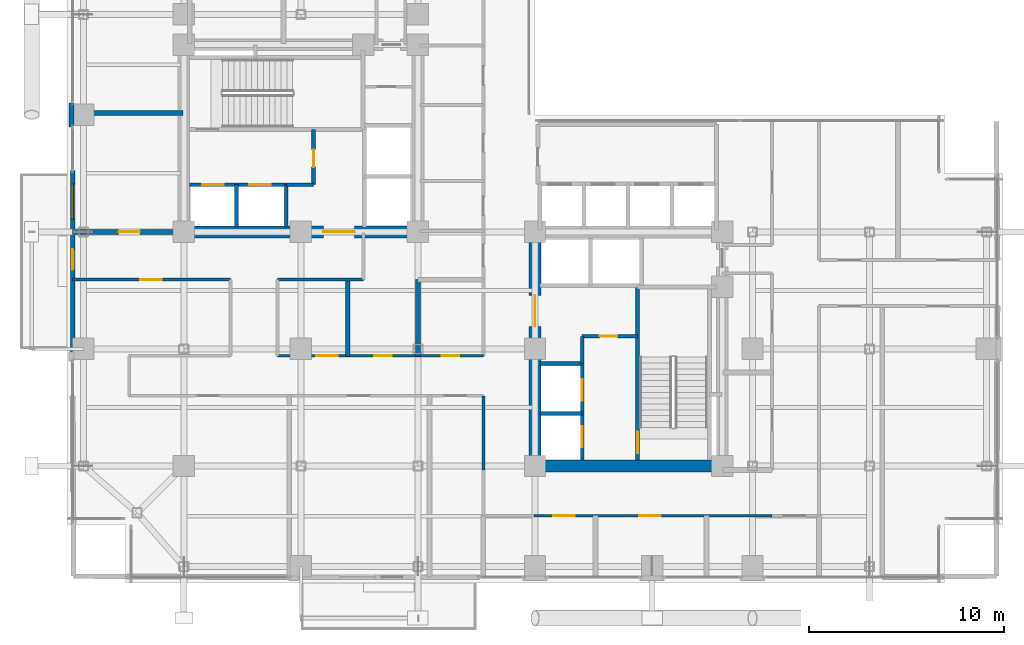
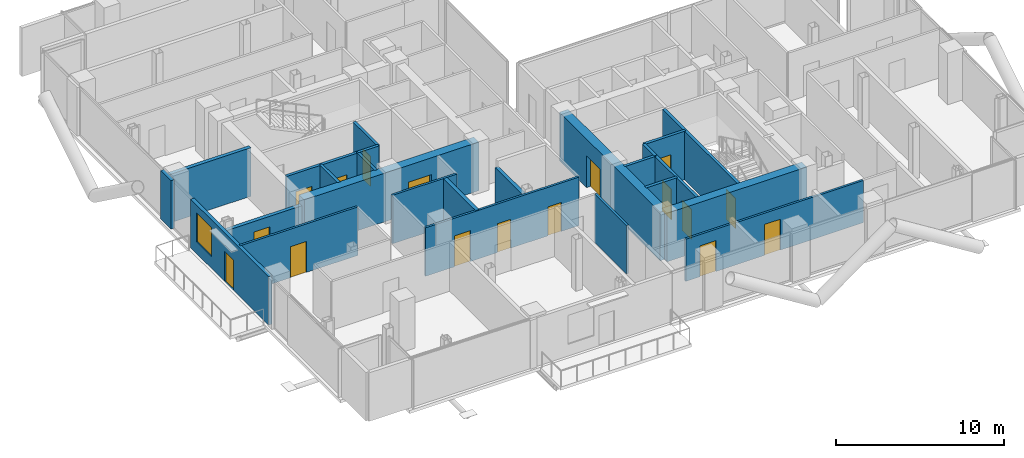
# One storey, part 19 of 24: 25 walls, 17 doors, 1 window, 18 openings.
"""IFC4 building model written with IfcOpenShell, lengths in metres."""

from ifc_helpers import new_model, si_unit, direction, frame, frame_2d, origin, place, context, subcontext, project, spatial, rectangle, extrude, material, layer, layer_set, type_object, element, fill, save


model = new_model("IFC4")

# Units and contexts
model_context = context("Model", 3, precision=1e-05, world=origin(), true_north=direction((0.0, 1.0)))
body_context = subcontext(model_context, "Body", "Model", "MODEL_VIEW")
ifc_project = project(units=[si_unit("LENGTHUNIT", "METRE"), si_unit("AREAUNIT", "SQUARE_METRE"), si_unit("VOLUMEUNIT", "CUBIC_METRE"), si_unit("PLANEANGLEUNIT", "RADIAN"), si_unit("MASSUNIT", "GRAM", prefix="KILO"), si_unit("THERMODYNAMICTEMPERATUREUNIT", "KELVIN"), si_unit("POWERUNIT", "WATT")], contexts=[model_context])

# Site, building, storey
site_placement = place(None, origin())
site = spatial("IfcSite", under=ifc_project, at=site_placement, CompositionType="ELEMENT")
building_placement = place(site_placement, origin())
building = spatial("IfcBuilding", under=site, at=building_placement, Name="Svarakhadi Broadcast Tower", CompositionType="ELEMENT")
storey_placement = place(building_placement, frame((0.0, 0.0, 126.89990234375)))
storey = spatial("IfcBuildingStorey", under=building, at=storey_placement, Name="L30", CompositionType="ELEMENT", Elevation=126.89990234375)

# Walls
ifc_material_1 = material(Name="Double-Stud Acoustic Studio Partition STC-62", Category="gypsum")
ifc_layer_1 = layer(ifc_material_1, 0.25)
ifc_layer_set_1 = layer_set([ifc_layer_1], Name="Double-Stud Acoustic Studio Partition STC-62")
wall_type_1 = type_object("IfcWallType", Name="Wall_Acoust_250", PredefinedType="PARTITIONING", material=ifc_layer_set_1)
wall_1_placement = place(storey_placement, frame((14.39990234375, 11.64990234375, 0.0), z_axis=(0.0, 0.0, 1.0), x_axis=(0.0, 1.0, 0.0)))
element("IfcWall", 1, at=wall_1_placement, inside=storey, type_object=wall_type_1, Name="L30 Acoustic Huddle Booth Wall", PredefinedType="PARTITIONING", context=body_context, shape_type="SweptSolid", body=[
    extrude(rectangle(XDim=3.900146484375, YDim=0.25, at=frame_2d((1.9501953125, 0.0))), origin(), (0.0, 0.0, 1.0), 3.525146484375),
])
wall_2_placement = place(storey_placement, frame((18.0, 11.64990234375, 0.0), z_axis=(0.0, 0.0, 1.0), x_axis=(0.0, 1.0, 0.0)))
element("IfcWall", 2, at=wall_2_placement, inside=storey, type_object=wall_type_1, Name="L30 Tea Bar Pantry Wall", PredefinedType="PARTITIONING", context=body_context, shape_type="SweptSolid", body=[
    extrude(rectangle(XDim=3.900146484375, YDim=0.25, at=frame_2d((1.9501953125, 0.0))), origin(), (0.0, 0.0, 1.0), 3.01708984375),
])

# Wall, opening, door
wall_3_placement = place(storey_placement, frame((0.300048828125, 18.0, 0.0), z_axis=(0.0, 0.0, 1.0), x_axis=(1.0, 0.0, 0.0)))
wall_3 = element("IfcWall", 3, at=wall_3_placement, inside=storey, type_object=wall_type_1, Name="L30 Arabian Sea Executive Studio Wall", PredefinedType="PARTITIONING", context=body_context, shape_type="SweptSolid", body=[
    extrude(rectangle(XDim=5.64990234375, YDim=0.25, at=frame_2d((2.824951171875, 0.0))), origin(), (0.0, 0.0, 1.0), 3.01708984375),
])
opening_1_placement = place(wall_3_placement, frame((2.35009765625, 0.0, 0.0)))
opening_1 = element("IfcOpeningElement", 4, at=opening_1_placement, cuts=wall_3, Name="Opening D-11", PredefinedType="OPENING", context=body_context, shape_type="SweptSolid", body=[
    extrude(rectangle(XDim=1.10009765625, YDim=2.25, at=frame_2d((0.550048828125, 1.125))), frame((0.0, 0.135009765625, 0.0), z_axis=(0.0, -1.0, 0.0), x_axis=(1.0, 0.0, 0.0)), (0.0, 0.0, 1.0), 0.27001953125),
])
ifc_material_2 = material(Name="Solid-Core Teak Veneer Acoustic Timber Leaf", Category="wood")
door_type_1 = type_object("IfcDoorType", Name="Door_Acoust_D11", OperationType="SINGLE_SWING_RIGHT", PredefinedType="DOOR", material=ifc_material_2)
door_1_placement = place(opening_1_placement, origin())
door_1 = element("IfcDoor", 5, at=door_1_placement, inside=storey, type_object=door_type_1, Name="L30 Arabian Sea Executive Studio Door", OperationType="SINGLE_SWING_RIGHT", OverallHeight=2.25, OverallWidth=1.10009765625, PredefinedType="DOOR", context=body_context, shape_type="SweptSolid", body=[
    extrude(rectangle(XDim=1.10009765625, YDim=2.25, at=frame_2d((0.550048828125, 1.125))), frame((0.0, 0.02490234375, 0.0), z_axis=(0.0, -1.0, 0.0), x_axis=(1.0, 0.0, 0.0)), (0.0, 0.0, 1.0), 0.050048828125),
])
fill(opening_1, door_1)

# Wall
wall_4_placement = place(storey_placement, frame((0.300048828125, 24.10009765625, 0.0), z_axis=(0.0, 0.0, 1.0), x_axis=(1.0, 0.0, 0.0)))
element("IfcWall", 6, at=wall_4_placement, inside=storey, type_object=wall_type_1, Name="L30 Arabian Sea Executive Studio Wall", PredefinedType="PARTITIONING", context=body_context, shape_type="SweptSolid", body=[
    extrude(rectangle(XDim=5.64990234375, YDim=0.25, at=frame_2d((2.824951171875, 0.0))), origin(), (0.0, 0.0, 1.0), 3.525146484375),
])

# Wall, openings, door, window
ifc_material_3 = material(Name="Concrete C40/50 (IS 456 M50)", Category="concrete")
ifc_layer_2 = layer(ifc_material_3, 0.239990234375)
ifc_layer_set_2 = layer_set([ifc_layer_2], Name="Concrete C40/50 (IS 456 M50)")
wall_type_2 = type_object("IfcWallType", Name="Wall_Ext_240", PredefinedType="SOLIDWALL", material=ifc_layer_set_2)
wall_5_placement = place(storey_placement, frame((0.300048828125, 11.85498046875, 0.0), z_axis=(0.0, 0.0, 1.0), x_axis=(0.0, 1.0, 0.0)))
wall_5 = element("IfcWall", 7, at=wall_5_placement, inside=storey, type_object=wall_type_2, Name="L30 West Tree Balcony Spandrel Wall", PredefinedType="SOLIDWALL", context=body_context, shape_type="SweptSolid", body=[
    extrude(rectangle(XDim=9.2900390625, YDim=0.239990234375, at=frame_2d((4.64501953125, 0.0))), origin(), (0.0, 0.0, 1.0), 3.525146484375),
])
opening_2_placement = place(wall_5_placement, frame((4.199951171875, 0.0, 0.0)))
opening_2 = element("IfcOpeningElement", 8, at=opening_2_placement, cuts=wall_5, Name="Opening ED-05", PredefinedType="OPENING", context=body_context, shape_type="SweptSolid", body=[
    extrude(rectangle(XDim=1.050048828125, YDim=2.199951171875, at=frame_2d((0.52490234375, 1.10009765625))), frame((0.0, 0.1298828125, 0.0), z_axis=(0.0, -1.0, 0.0), x_axis=(1.0, 0.0, 0.0)), (0.0, 0.0, 1.0), 0.260009765625),
])
opening_3_placement = place(wall_5_placement, frame((6.800048828125, 0.0, 0.85009765625)))
opening_3 = element("IfcOpeningElement", 9, at=opening_3_placement, cuts=wall_5, Name="Opening WN-02", PredefinedType="OPENING", context=body_context, shape_type="SweptSolid", body=[
    extrude(rectangle(XDim=1.800048828125, YDim=2.10009765625, at=frame_2d((0.89990234375, 1.050048828125))), frame((0.0, 0.1298828125, 0.0), z_axis=(0.0, -1.0, 0.0), x_axis=(1.0, 0.0, 0.0)), (0.0, 0.0, 1.0), 0.260009765625),
])
ifc_material_4 = material(Name="Anodised Bronze Aluminium AA 6063-T6", Category="aluminium")
door_type_2 = type_object("IfcDoorType", Name="Door_Ext_ED05", OperationType="SINGLE_SWING_LEFT", PredefinedType="DOOR", material=ifc_material_4)
door_2_placement = place(opening_2_placement, origin())
door_2 = element("IfcDoor", 10, at=door_2_placement, inside=storey, type_object=door_type_2, Name="L30 West Tree Balcony Door", OperationType="SINGLE_SWING_LEFT", OverallHeight=2.199951171875, OverallWidth=1.050048828125, PredefinedType="DOOR", context=body_context, shape_type="SweptSolid", body=[
    extrude(rectangle(XDim=1.050048828125, YDim=2.199951171875, at=frame_2d((0.52490234375, 1.10009765625))), frame((0.0, 0.02490234375, 0.0), z_axis=(0.0, -1.0, 0.0), x_axis=(1.0, 0.0, 0.0)), (0.0, 0.0, 1.0), 0.050048828125),
])
fill(opening_2, door_2)
ifc_material_5 = material(Name="Double Low-E Laminated Acoustic Glass IGU 36 mm", Category="glass")
window_type = type_object("IfcWindowType", Name="Win_Fixed_WN02", PartitioningType="SINGLE_PANEL", PredefinedType="WINDOW", material=ifc_material_5)
window_placement = place(opening_3_placement, origin())
window = element("IfcWindow", 11, at=window_placement, inside=storey, type_object=window_type, Name="L30 West Tree Balcony Window", OverallHeight=2.10009765625, OverallWidth=1.800048828125, PartitioningType="SINGLE_PANEL", PredefinedType="WINDOW", context=body_context, shape_type="SweptSolid", body=[
    extrude(rectangle(XDim=1.800048828125, YDim=2.10009765625, at=frame_2d((0.89990234375, 1.050048828125))), frame((0.0, 0.030029296875, 0.0), z_axis=(0.0, -1.0, 0.0), x_axis=(1.0, 0.0, 0.0)), (0.0, 0.0, 1.0), 0.06005859375),
])
fill(opening_3, window)

# Wall
wall_6_placement = place(storey_placement, frame((0.239990234375, 23.385009765625, 0.0), z_axis=(0.0, 0.0, 1.0), x_axis=(0.0, 1.0, 0.0)))
element("IfcWall", 12, at=wall_6_placement, inside=storey, type_object=wall_type_2, Name="L30 Perimeter Bronze Spandrel Closure Wall 02", PredefinedType="SOLIDWALL", context=body_context, shape_type="SweptSolid", body=[
    extrude(rectangle(XDim=1.22998046875, YDim=0.239990234375, at=frame_2d((0.614990234375, 0.0))), origin(), (0.0, 0.0, 1.0), 3.525146484375),
])

# Wall, openings, doors
ifc_material_6 = material(Name="Autoclaved Aerated Concrete Blockwork 150 mm", Category="masonry")
ifc_layer_3 = layer(ifc_material_6, 0.14990234375)
ifc_layer_set_3 = layer_set([ifc_layer_3], Name="Autoclaved Aerated Concrete Blockwork 150 mm")
wall_type_3 = type_object("IfcWallType", Name="Wall_Part_150", PredefinedType="PARTITIONING", material=ifc_layer_set_3)
wall_7_placement = place(storey_placement, frame((36.14990234375, 3.449951171875, 0.0), z_axis=(0.0, 0.0, 1.0), x_axis=(-1.0, 0.0, 0.0)))
wall_7 = element("IfcWall", 13, at=wall_7_placement, inside=storey, type_object=wall_type_3, Name="L30 Zone 2/3 Corridor Wall", PredefinedType="PARTITIONING", context=body_context, shape_type="SweptSolid", body=[
    extrude(rectangle(XDim=12.199951171875, YDim=0.14990234375, at=frame_2d((6.10009765625, 0.0))), origin(), (0.0, 0.0, 1.0), 3.067138671875),
])
opening_4_placement = place(wall_7_placement, frame((10.125, 0.0, 0.0)))
opening_4 = element("IfcOpeningElement", 14, at=opening_4_placement, cuts=wall_7, Name="Opening D-11", PredefinedType="OPENING", context=body_context, shape_type="SweptSolid", body=[
    extrude(rectangle(XDim=1.10009765625, YDim=2.25, at=frame_2d((0.550048828125, 1.125))), frame((0.0, 0.0849609375, 0.0), z_axis=(0.0, -1.0, 0.0), x_axis=(1.0, 0.0, 0.0)), (0.0, 0.0, 1.0), 0.169921875),
])
opening_5_placement = place(wall_7_placement, frame((5.699951171875, 0.0, 0.0)))
opening_5 = element("IfcOpeningElement", 15, at=opening_5_placement, cuts=wall_7, Name="Opening D-10", PredefinedType="OPENING", context=body_context, shape_type="SweptSolid", body=[
    extrude(rectangle(XDim=1.10009765625, YDim=2.25, at=frame_2d((0.550048828125, 1.125))), frame((0.0, 0.0849609375, 0.0), z_axis=(0.0, -1.0, 0.0), x_axis=(1.0, 0.0, 0.0)), (0.0, 0.0, 1.0), 0.169921875),
])
door_type_3 = type_object("IfcDoorType", Name="Door_Acoust_D10", OperationType="SINGLE_SWING_LEFT", PredefinedType="DOOR", material=ifc_material_2)
door_3_placement = place(opening_5_placement, origin())
door_3 = element("IfcDoor", 16, at=door_3_placement, inside=storey, type_object=door_type_3, Name="L30 Client Preview Briefing Room Door", OperationType="SINGLE_SWING_LEFT", OverallHeight=2.25, OverallWidth=1.10009765625, PredefinedType="DOOR", context=body_context, shape_type="SweptSolid", body=[
    extrude(rectangle(XDim=1.10009765625, YDim=2.25, at=frame_2d((0.550048828125, 1.125))), frame((0.0, 0.02490234375, 0.0), z_axis=(0.0, -1.0, 0.0), x_axis=(1.0, 0.0, 0.0)), (0.0, 0.0, 1.0), 0.050048828125),
])
fill(opening_5, door_3)
door_4_placement = place(opening_4_placement, origin())
door_4 = element("IfcDoor", 17, at=door_4_placement, inside=storey, type_object=door_type_1, Name="L30 Harbour Front Production Office Door", OperationType="SINGLE_SWING_RIGHT", OverallHeight=2.25, OverallWidth=1.10009765625, PredefinedType="DOOR", context=body_context, shape_type="SweptSolid", body=[
    extrude(rectangle(XDim=1.10009765625, YDim=2.25, at=frame_2d((0.550048828125, 1.125))), frame((0.0, 0.02490234375, 0.0), z_axis=(0.0, -1.0, 0.0), x_axis=(1.0, 0.0, 0.0)), (0.0, 0.0, 1.0), 0.050048828125),
])
fill(opening_4, door_4)

# Wall
wall_8_placement = place(storey_placement, frame((21.35009765625, 5.800048828125, 0.0), z_axis=(0.0, 0.0, 1.0), x_axis=(0.0, 1.0, 0.0)))
element("IfcWall", 18, at=wall_8_placement, inside=storey, type_object=wall_type_3, Name="L30 Zone 2/3 Corridor Wall", PredefinedType="PARTITIONING", context=body_context, shape_type="SweptSolid", body=[
    extrude(rectangle(XDim=3.800048828125, YDim=0.14990234375, at=frame_2d((1.89990234375, 0.0))), origin(), (0.0, 0.0, 1.0), 3.525146484375),
])

# Wall, opening, door
wall_9_placement = place(storey_placement, frame((8.39990234375, 15.550048828125, 0.0), z_axis=(0.0, 0.0, 1.0), x_axis=(-1.0, 0.0, 0.0)))
wall_9 = element("IfcWall", 19, at=wall_9_placement, inside=storey, type_object=wall_type_3, Name="L30 Zone 2/3 Corridor Wall", PredefinedType="PARTITIONING", context=body_context, shape_type="SweptSolid", body=[
    extrude(rectangle(XDim=8.099853515625, YDim=0.14990234375, at=frame_2d((4.0498046875, 0.0))), origin(), (0.0, 0.0, 1.0), 3.525146484375),
])
opening_6_placement = place(wall_9_placement, frame((3.52490234375, 0.0, 0.0)))
opening_6 = element("IfcOpeningElement", 20, at=opening_6_placement, cuts=wall_9, Name="Opening D-10", PredefinedType="OPENING", context=body_context, shape_type="SweptSolid", body=[
    extrude(rectangle(XDim=1.10009765625, YDim=2.25, at=frame_2d((0.550048828125, 1.125))), frame((0.0, 0.0849609375, 0.0), z_axis=(0.0, -1.0, 0.0), x_axis=(1.0, 0.0, 0.0)), (0.0, 0.0, 1.0), 0.169921875),
])
door_5_placement = place(opening_6_placement, origin())
door_5 = element("IfcDoor", 21, at=door_5_placement, inside=storey, type_object=door_type_3, Name="L30 VIP Talent Green Lounge Door", OperationType="SINGLE_SWING_LEFT", OverallHeight=2.25, OverallWidth=1.10009765625, PredefinedType="DOOR", context=body_context, shape_type="SweptSolid", body=[
    extrude(rectangle(XDim=1.10009765625, YDim=2.25, at=frame_2d((0.550048828125, 1.125))), frame((0.0, 0.02490234375, 0.0), z_axis=(0.0, -1.0, 0.0), x_axis=(1.0, 0.0, 0.0)), (0.0, 0.0, 1.0), 0.050048828125),
])
fill(opening_6, door_5)

# Wall
wall_10_placement = place(storey_placement, frame((15.199951171875, 15.550048828125, 0.0), z_axis=(0.0, 0.0, 1.0), x_axis=(-1.0, 0.0, 0.0)))
element("IfcWall", 22, at=wall_10_placement, inside=storey, type_object=wall_type_3, Name="L30 Zone 2/3 Corridor Wall", PredefinedType="PARTITIONING", context=body_context, shape_type="SweptSolid", body=[
    extrude(rectangle(XDim=4.39990234375, YDim=0.14990234375, at=frame_2d((2.199951171875, 0.0))), origin(), (0.0, 0.0, 1.0), 3.525146484375),
])

# Wall, openings, doors
wall_11_placement = place(storey_placement, frame((10.800048828125, 11.64990234375, 0.0), z_axis=(0.0, 0.0, 1.0), x_axis=(1.0, 0.0, 0.0)))
wall_11 = element("IfcWall", 23, at=wall_11_placement, inside=storey, type_object=wall_type_3, Name="L30 Zone 2/3 Corridor Wall", PredefinedType="PARTITIONING", context=body_context, shape_type="SweptSolid", body=[
    extrude(rectangle(XDim=10.550048828125, YDim=0.14990234375, at=frame_2d((5.27490234375, 0.0))), origin(), (0.0, 0.0, 1.0), 3.525146484375),
])
opening_7_placement = place(wall_11_placement, frame((1.97998046875, 0.0, 0.0)))
opening_7 = element("IfcOpeningElement", 24, at=opening_7_placement, cuts=wall_11, Name="Opening D-11", PredefinedType="OPENING", context=body_context, shape_type="SweptSolid", body=[
    extrude(rectangle(XDim=1.10009765625, YDim=2.25, at=frame_2d((0.550048828125, 1.125))), frame((0.0, 0.0849609375, 0.0), z_axis=(0.0, -1.0, 0.0), x_axis=(1.0, 0.0, 0.0)), (0.0, 0.0, 1.0), 0.169921875),
])
opening_8_placement = place(wall_11_placement, frame((4.949951171875, 0.0, 0.0)))
opening_8 = element("IfcOpeningElement", 25, at=opening_8_placement, cuts=wall_11, Name="Opening D-12", PredefinedType="OPENING", context=body_context, shape_type="SweptSolid", body=[
    extrude(rectangle(XDim=0.89990234375, YDim=2.10009765625, at=frame_2d((0.449951171875, 1.050048828125))), frame((0.0, 0.0849609375, 0.0), z_axis=(0.0, -1.0, 0.0), x_axis=(1.0, 0.0, 0.0)), (0.0, 0.0, 1.0), 0.169921875),
])
opening_9_placement = place(wall_11_placement, frame((8.425048828125, 0.0, 0.0)))
opening_9 = element("IfcOpeningElement", 26, at=opening_9_placement, cuts=wall_11, Name="Opening D-13", PredefinedType="OPENING", context=body_context, shape_type="SweptSolid", body=[
    extrude(rectangle(XDim=0.89990234375, YDim=2.10009765625, at=frame_2d((0.449951171875, 1.050048828125))), frame((0.0, 0.0849609375, 0.0), z_axis=(0.0, -1.0, 0.0), x_axis=(1.0, 0.0, 0.0)), (0.0, 0.0, 1.0), 0.169921875),
])
door_6_placement = place(opening_7_placement, origin())
door_6 = element("IfcDoor", 27, at=door_6_placement, inside=storey, type_object=door_type_1, Name="L30 Acoustic Huddle Booth Door", OperationType="SINGLE_SWING_RIGHT", OverallHeight=2.25, OverallWidth=1.10009765625, PredefinedType="DOOR", context=body_context, shape_type="SweptSolid", body=[
    extrude(rectangle(XDim=1.10009765625, YDim=2.25, at=frame_2d((0.550048828125, 1.125))), frame((0.0, 0.02490234375, 0.0), z_axis=(0.0, -1.0, 0.0), x_axis=(1.0, 0.0, 0.0)), (0.0, 0.0, 1.0), 0.050048828125),
])
fill(opening_7, door_6)
door_type_4 = type_object("IfcDoorType", Name="Door_Closet_D13", OperationType="SINGLE_SWING_RIGHT", PredefinedType="DOOR", material=ifc_material_2)
door_7_placement = place(opening_9_placement, origin())
door_7 = element("IfcDoor", 28, at=door_7_placement, inside=storey, type_object=door_type_4, Name="L30 Accessible Floor Washroom WC Door", OperationType="SINGLE_SWING_RIGHT", OverallHeight=2.10009765625, OverallWidth=0.89990234375, PredefinedType="DOOR", context=body_context, shape_type="SweptSolid", body=[
    extrude(rectangle(XDim=0.89990234375, YDim=2.10009765625, at=frame_2d((0.449951171875, 1.050048828125))), frame((0.0, 0.02490234375, 0.0), z_axis=(0.0, -1.0, 0.0), x_axis=(1.0, 0.0, 0.0)), (0.0, 0.0, 1.0), 0.050048828125),
])
fill(opening_9, door_7)
door_type_5 = type_object("IfcDoorType", Name="Door_WC_D01", OperationType="SINGLE_SWING_LEFT", PredefinedType="DOOR", material=ifc_material_2)
door_8_placement = place(opening_8_placement, origin())
door_8 = element("IfcDoor", 29, at=door_8_placement, inside=storey, type_object=door_type_5, Name="L30 Tea Bar Pantry Door", OperationType="SINGLE_SWING_LEFT", OverallHeight=2.10009765625, OverallWidth=0.89990234375, PredefinedType="DOOR", context=body_context, shape_type="SweptSolid", body=[
    extrude(rectangle(XDim=0.89990234375, YDim=2.10009765625, at=frame_2d((0.449951171875, 1.050048828125))), frame((0.0, 0.02490234375, 0.0), z_axis=(0.0, -1.0, 0.0), x_axis=(1.0, 0.0, 0.0)), (0.0, 0.0, 1.0), 0.050048828125),
])
fill(opening_8, door_8)

# Wall, opening, door
ifc_material_7 = material(Name="Concrete C50/60 (IS 456 M60)", Category="concrete")
ifc_layer_4 = layer(ifc_material_7, 0.199951171875)
ifc_layer_set_4 = layer_set([ifc_layer_4], Name="Concrete C50/60 (IS 456 M60)")
wall_type_4 = type_object("IfcWallType", Name="Wall_Shear_200", PredefinedType="SHEAR", material=ifc_layer_set_4)
wall_12_placement = place(storey_placement, frame((29.260009765625, 6.300048828125, 0.0), z_axis=(0.0, 0.0, 1.0), x_axis=(0.0, 1.0, 0.0)))
wall_12 = element("IfcWall", 30, at=wall_12_placement, inside=storey, type_object=wall_type_4, Name="L30 Stair ST-02 West RC Shaft Wall", PredefinedType="SHEAR", context=body_context, shape_type="SweptSolid", body=[
    extrude(rectangle(XDim=8.8798828125, YDim=0.199951171875, at=frame_2d((4.43994140625, 0.0))), origin(), (0.0, 0.0, 1.0), 3.525146484375),
])
opening_10_placement = place(wall_12_placement, frame((0.35009765625, 0.0, 0.0)))
opening_10 = element("IfcOpeningElement", 31, at=opening_10_placement, cuts=wall_12, Name="Opening D-02", PredefinedType="OPENING", context=body_context, shape_type="SweptSolid", body=[
    extrude(rectangle(XDim=1.10009765625, YDim=2.199951171875, at=frame_2d((0.550048828125, 1.10009765625))), frame((0.0, 0.10986328125, 0.0), z_axis=(0.0, -1.0, 0.0), x_axis=(1.0, 0.0, 0.0)), (0.0, 0.0, 1.0), 0.219970703125),
])
ifc_material_8 = material(Name="Galvanised Powder-Coated Fire-Rated Steel Leaf", Category="steel")
door_type_6 = type_object("IfcDoorType", Name="Door_Stair_D02", OperationType="SINGLE_SWING_RIGHT", PredefinedType="DOOR", material=ifc_material_8)
door_9_placement = place(opening_10_placement, origin())
door_9 = element("IfcDoor", 32, at=door_9_placement, inside=storey, type_object=door_type_6, Name="L30 Protected Exit Stair ST-02 Fire Door", OperationType="SINGLE_SWING_RIGHT", OverallHeight=2.199951171875, OverallWidth=1.10009765625, PredefinedType="DOOR", context=body_context, shape_type="SweptSolid", body=[
    extrude(rectangle(XDim=1.10009765625, YDim=2.199951171875, at=frame_2d((0.550048828125, 1.10009765625))), frame((0.0, 0.02490234375, 0.0), z_axis=(0.0, -1.0, 0.0), x_axis=(1.0, 0.0, 0.0)), (0.0, 0.0, 1.0), 0.050048828125),
])
fill(opening_10, door_9)

# Wall, openings, doors
wall_13_placement = place(storey_placement, frame((6.300048828125, 20.419921875, 0.0), z_axis=(0.0, 0.0, 1.0), x_axis=(1.0, 0.0, 0.0)))
wall_13 = element("IfcWall", 33, at=wall_13_placement, inside=storey, type_object=wall_type_4, Name="L30 Firefighting Lift LF-01/02 Shaft Wall", PredefinedType="SHEAR", context=body_context, shape_type="SweptSolid", body=[
    extrude(rectangle(XDim=4.949951171875, YDim=0.199951171875, at=frame_2d((2.47509765625, 0.0))), origin(), (0.0, 0.0, 1.0), 3.525146484375),
])
opening_11_placement = place(wall_13_placement, frame((0.64990234375, 0.0, 0.0)))
opening_11 = element("IfcOpeningElement", 34, at=opening_11_placement, cuts=wall_13, Name="Opening LD-01", PredefinedType="OPENING", context=body_context, shape_type="SweptSolid", body=[
    extrude(rectangle(XDim=1.10009765625, YDim=2.199951171875, at=frame_2d((0.550048828125, 1.10009765625))), frame((0.0, 0.10986328125, 0.0), z_axis=(0.0, -1.0, 0.0), x_axis=(1.0, 0.0, 0.0)), (0.0, 0.0, 1.0), 0.219970703125),
])
opening_12_placement = place(wall_13_placement, frame((3.050048828125, 0.0, 0.0)))
opening_12 = element("IfcOpeningElement", 35, at=opening_12_placement, cuts=wall_13, Name="Opening LD-01", PredefinedType="OPENING", context=body_context, shape_type="SweptSolid", body=[
    extrude(rectangle(XDim=1.10009765625, YDim=2.199951171875, at=frame_2d((0.550048828125, 1.10009765625))), frame((0.0, 0.10986328125, 0.0), z_axis=(0.0, -1.0, 0.0), x_axis=(1.0, 0.0, 0.0)), (0.0, 0.0, 1.0), 0.219970703125),
])
door_type_7 = type_object("IfcDoorType", Name="Door_Lift_LD01", OperationType="SLIDING_TO_LEFT", PredefinedType="DOOR", material=ifc_material_8)
door_10_placement = place(opening_11_placement, origin())
door_10 = element("IfcDoor", 36, at=door_10_placement, inside=storey, type_object=door_type_7, Name="L30 Firefighting Lift LF-01 Landing Door", OperationType="SLIDING_TO_LEFT", OverallHeight=2.199951171875, OverallWidth=1.10009765625, PredefinedType="DOOR", context=body_context, shape_type="SweptSolid", body=[
    extrude(rectangle(XDim=1.10009765625, YDim=2.199951171875, at=frame_2d((0.550048828125, 1.10009765625))), frame((0.0, 0.02490234375, 0.0), z_axis=(0.0, -1.0, 0.0), x_axis=(1.0, 0.0, 0.0)), (0.0, 0.0, 1.0), 0.050048828125),
])
fill(opening_11, door_10)
door_11_placement = place(opening_12_placement, origin())
door_11 = element("IfcDoor", 37, at=door_11_placement, inside=storey, type_object=door_type_7, Name="L30 Firefighting Lift LF-02 Landing Door", OperationType="SLIDING_TO_LEFT", OverallHeight=2.199951171875, OverallWidth=1.10009765625, PredefinedType="DOOR", context=body_context, shape_type="SweptSolid", body=[
    extrude(rectangle(XDim=1.10009765625, YDim=2.199951171875, at=frame_2d((0.550048828125, 1.10009765625))), frame((0.0, 0.02490234375, 0.0), z_axis=(0.0, -1.0, 0.0), x_axis=(1.0, 0.0, 0.0)), (0.0, 0.0, 1.0), 0.050048828125),
])
fill(opening_12, door_11)

# Walls
for number, where, z_axis, x_axis, name in (
    (38, (8.699951171875, 18.25, 0.0), (0.0, 0.0, 1.0), (0.0, 1.0, 0.0), "L30 Firefighting Lift LF-01/02 Divider Wall"),
    (39, (11.25, 18.25, 0.0), (0.0, 0.0, 1.0), (0.0, 1.0, 0.0), "L30 Firefighting Lift LF-02 East Wall"),
):
    element("IfcWall", number, at=place(storey_placement, frame(where, z_axis=z_axis, x_axis=x_axis)), inside=storey, type_object=wall_type_4, Name=name, PredefinedType="SHEAR", context=body_context, shape_type="SweptSolid", body=[
        extrude(rectangle(XDim=2.169921875, YDim=0.199951171875, at=frame_2d((1.0849609375, 0.0))), origin(), (0.0, 0.0, 1.0), 3.525146484375),
    ])
wall_14_placement = place(storey_placement, frame((11.25, 20.419921875, 0.0), z_axis=(0.0, 0.0, 1.0), x_axis=(1.0, 0.0, 0.0)))
element("IfcWall", 40, at=wall_14_placement, inside=storey, type_object=wall_type_4, Name="L30 West Firefighting Lobby South Wall", PredefinedType="SHEAR", context=body_context, shape_type="SweptSolid", body=[
    extrude(rectangle(XDim=1.39990234375, YDim=0.199951171875, at=frame_2d((0.699951171875, 0.0))), origin(), (0.0, 0.0, 1.0), 3.525146484375),
])

# Wall, opening, door
wall_15_placement = place(storey_placement, frame((12.64990234375, 20.419921875, 0.0), z_axis=(0.0, 0.0, 1.0), x_axis=(0.0, 1.0, 0.0)))
wall_15 = element("IfcWall", 41, at=wall_15_placement, inside=storey, type_object=wall_type_4, Name="L30 West Firefighting Lobby East Wall", PredefinedType="SHEAR", context=body_context, shape_type="SweptSolid", body=[
    extrude(rectangle(XDim=2.840087890625, YDim=0.199951171875, at=frame_2d((1.419921875, 0.0))), origin(), (0.0, 0.0, 1.0), 3.525146484375),
])
opening_13_placement = place(wall_15_placement, frame((0.89990234375, 0.0, 0.0)))
opening_13 = element("IfcOpeningElement", 42, at=opening_13_placement, cuts=wall_15, Name="Opening D-04", PredefinedType="OPENING", context=body_context, shape_type="SweptSolid", body=[
    extrude(rectangle(XDim=0.89990234375, YDim=2.14990234375, at=frame_2d((0.449951171875, 1.074951171875))), frame((0.0, 0.10986328125, 0.0), z_axis=(0.0, -1.0, 0.0), x_axis=(1.0, 0.0, 0.0)), (0.0, 0.0, 1.0), 0.219970703125),
])
door_type_8 = type_object("IfcDoorType", Name="Door_Fire_D04", OperationType="SINGLE_SWING_RIGHT", PredefinedType="DOOR", material=ifc_material_8)
door_12_placement = place(opening_13_placement, origin())
door_12 = element("IfcDoor", 43, at=door_12_placement, inside=storey, type_object=door_type_8, Name="L30 West Firefighting Lobby Fire Door", OperationType="SINGLE_SWING_RIGHT", OverallHeight=2.14990234375, OverallWidth=0.89990234375, PredefinedType="DOOR", context=body_context, shape_type="SweptSolid", body=[
    extrude(rectangle(XDim=0.89990234375, YDim=2.14990234375, at=frame_2d((0.449951171875, 1.074951171875))), frame((0.0, 0.02490234375, 0.0), z_axis=(0.0, -1.0, 0.0), x_axis=(1.0, 0.0, 0.0)), (0.0, 0.0, 1.0), 0.050048828125),
])
fill(opening_13, door_12)

# Wall, openings, doors
wall_16_placement = place(storey_placement, frame((26.419921875, 6.300048828125, 0.0), z_axis=(0.0, 0.0, 1.0), x_axis=(0.0, 1.0, 0.0)))
wall_16 = element("IfcWall", 44, at=wall_16_placement, inside=storey, type_object=wall_type_4, Name="L30 Firefighting Lift LF-03/04 Shaft Wall", PredefinedType="SHEAR", context=body_context, shape_type="SweptSolid", body=[
    extrude(rectangle(XDim=4.949951171875, YDim=0.199951171875, at=frame_2d((2.47509765625, 0.0))), origin(), (0.0, 0.0, 1.0), 3.525146484375),
])
opening_14_placement = place(wall_16_placement, frame((0.64990234375, 0.0, 0.0)))
opening_14 = element("IfcOpeningElement", 45, at=opening_14_placement, cuts=wall_16, Name="Opening LD-01", PredefinedType="OPENING", context=body_context, shape_type="SweptSolid", body=[
    extrude(rectangle(XDim=1.10009765625, YDim=2.199951171875, at=frame_2d((0.550048828125, 1.10009765625))), frame((0.0, 0.10986328125, 0.0), z_axis=(0.0, -1.0, 0.0), x_axis=(1.0, 0.0, 0.0)), (0.0, 0.0, 1.0), 0.219970703125),
])
opening_15_placement = place(wall_16_placement, frame((3.050048828125, 0.0, 0.0)))
opening_15 = element("IfcOpeningElement", 46, at=opening_15_placement, cuts=wall_16, Name="Opening LD-01", PredefinedType="OPENING", context=body_context, shape_type="SweptSolid", body=[
    extrude(rectangle(XDim=1.10009765625, YDim=2.199951171875, at=frame_2d((0.550048828125, 1.10009765625))), frame((0.0, 0.10986328125, 0.0), z_axis=(0.0, -1.0, 0.0), x_axis=(1.0, 0.0, 0.0)), (0.0, 0.0, 1.0), 0.219970703125),
])
door_13_placement = place(opening_14_placement, origin())
door_13 = element("IfcDoor", 47, at=door_13_placement, inside=storey, type_object=door_type_7, Name="L30 Firefighting Lift LF-03 Landing Door", OperationType="SLIDING_TO_LEFT", OverallHeight=2.199951171875, OverallWidth=1.10009765625, PredefinedType="DOOR", context=body_context, shape_type="SweptSolid", body=[
    extrude(rectangle(XDim=1.10009765625, YDim=2.199951171875, at=frame_2d((0.550048828125, 1.10009765625))), frame((0.0, 0.02490234375, 0.0), z_axis=(0.0, -1.0, 0.0), x_axis=(1.0, 0.0, 0.0)), (0.0, 0.0, 1.0), 0.050048828125),
])
fill(opening_14, door_13)
door_14_placement = place(opening_15_placement, origin())
door_14 = element("IfcDoor", 48, at=door_14_placement, inside=storey, type_object=door_type_7, Name="L30 Firefighting Lift LF-04 Landing Door", OperationType="SLIDING_TO_LEFT", OverallHeight=2.199951171875, OverallWidth=1.10009765625, PredefinedType="DOOR", context=body_context, shape_type="SweptSolid", body=[
    extrude(rectangle(XDim=1.10009765625, YDim=2.199951171875, at=frame_2d((0.550048828125, 1.10009765625))), frame((0.0, 0.02490234375, 0.0), z_axis=(0.0, -1.0, 0.0), x_axis=(1.0, 0.0, 0.0)), (0.0, 0.0, 1.0), 0.050048828125),
])
fill(opening_15, door_14)

# Walls
for number, where, z_axis, x_axis, name in (
    (49, (24.25, 8.699951171875, 0.0), (0.0, 0.0, 1.0), (1.0, 0.0, 0.0), "L30 Firefighting Lift LF-03/04 Divider Wall"),
    (50, (24.25, 11.25, 0.0), (0.0, 0.0, 1.0), (1.0, 0.0, 0.0), "L30 Firefighting Lift LF-04 North Wall"),
):
    element("IfcWall", number, at=place(storey_placement, frame(where, z_axis=z_axis, x_axis=x_axis)), inside=storey, type_object=wall_type_4, Name=name, PredefinedType="SHEAR", context=body_context, shape_type="SweptSolid", body=[
        extrude(rectangle(XDim=2.169921875, YDim=0.199951171875, at=frame_2d((1.0849609375, 0.0))), origin(), (0.0, 0.0, 1.0), 3.525146484375),
    ])
wall_17_placement = place(storey_placement, frame((26.419921875, 11.25, 0.0), z_axis=(0.0, 0.0, 1.0), x_axis=(0.0, 1.0, 0.0)))
element("IfcWall", 51, at=wall_17_placement, inside=storey, type_object=wall_type_4, Name="L30 East Firefighting Lobby West Wall", PredefinedType="SHEAR", context=body_context, shape_type="SweptSolid", body=[
    extrude(rectangle(XDim=1.39990234375, YDim=0.199951171875, at=frame_2d((0.699951171875, 0.0))), origin(), (0.0, 0.0, 1.0), 3.525146484375),
])

# Wall, opening, door
wall_18_placement = place(storey_placement, frame((26.419921875, 12.64990234375, 0.0), z_axis=(0.0, 0.0, 1.0), x_axis=(1.0, 0.0, 0.0)))
wall_18 = element("IfcWall", 52, at=wall_18_placement, inside=storey, type_object=wall_type_4, Name="L30 East Firefighting Lobby North Wall", PredefinedType="SHEAR", context=body_context, shape_type="SweptSolid", body=[
    extrude(rectangle(XDim=2.840087890625, YDim=0.199951171875, at=frame_2d((1.419921875, 0.0))), origin(), (0.0, 0.0, 1.0), 3.525146484375),
])
opening_16_placement = place(wall_18_placement, frame((0.89990234375, 0.0, 0.0)))
opening_16 = element("IfcOpeningElement", 53, at=opening_16_placement, cuts=wall_18, Name="Opening D-03", PredefinedType="OPENING", context=body_context, shape_type="SweptSolid", body=[
    extrude(rectangle(XDim=0.89990234375, YDim=2.14990234375, at=frame_2d((0.449951171875, 1.074951171875))), frame((0.0, 0.10986328125, 0.0), z_axis=(0.0, -1.0, 0.0), x_axis=(1.0, 0.0, 0.0)), (0.0, 0.0, 1.0), 0.219970703125),
])
door_type_9 = type_object("IfcDoorType", Name="Door_Fire_D03", OperationType="SINGLE_SWING_LEFT", PredefinedType="DOOR", material=ifc_material_8)
door_15_placement = place(opening_16_placement, origin())
door_15 = element("IfcDoor", 54, at=door_15_placement, inside=storey, type_object=door_type_9, Name="L30 East Firefighting Lobby Fire Door", OperationType="SINGLE_SWING_LEFT", OverallHeight=2.14990234375, OverallWidth=0.89990234375, PredefinedType="DOOR", context=body_context, shape_type="SweptSolid", body=[
    extrude(rectangle(XDim=0.89990234375, YDim=2.14990234375, at=frame_2d((0.449951171875, 1.074951171875))), frame((0.0, 0.02490234375, 0.0), z_axis=(0.0, -1.0, 0.0), x_axis=(1.0, 0.0, 0.0)), (0.0, 0.0, 1.0), 0.050048828125),
])
fill(opening_16, door_15)

ifc_material_9 = material(Name="Concrete C60/75 (IS 456 M70)", Category="concrete")
ifc_layer_5 = layer(ifc_material_9, 0.60009765625)
ifc_layer_set_5 = layer_set([ifc_layer_5], Name="Concrete C60/75 (IS 456 M70)")
wall_type_5 = type_object("IfcWallType", Name="Wall_Shear_600", PredefinedType="SHEAR", material=ifc_layer_set_5)
wall_19_placement = place(storey_placement, frame((6.0, 18.0, 0.0), z_axis=(0.0, 0.0, 1.0), x_axis=(1.0, 0.0, 0.0)))
wall_19 = element("IfcWall", 55, at=wall_19_placement, inside=storey, type_object=wall_type_5, Name="L30 West Core South Shear Wall", PredefinedType="SHEAR", context=body_context, shape_type="SweptSolid", body=[
    extrude(rectangle(XDim=12.0, YDim=0.60009765625, at=frame_2d((6.0, 0.0))), origin(), (0.0, 0.0, 1.0), 3.525146484375),
])
opening_17_placement = place(wall_19_placement, frame((7.14990234375, 0.0, 0.0)))
opening_17 = element("IfcOpeningElement", 56, at=opening_17_placement, cuts=wall_19, Name="Opening D-05", PredefinedType="OPENING", context=body_context, shape_type="SweptSolid", body=[
    extrude(rectangle(XDim=1.60009765625, YDim=2.300048828125, at=frame_2d((0.800048828125, 1.14990234375))), frame((0.0, 0.31005859375, 0.0), z_axis=(0.0, -1.0, 0.0), x_axis=(1.0, 0.0, 0.0)), (0.0, 0.0, 1.0), 0.6201171875),
])
door_type_10 = type_object("IfcDoorType", Name="Door_Lobby_D05", OperationType="DOUBLE_DOOR_SLIDING", PredefinedType="DOOR", material=ifc_material_4)
door_16_placement = place(opening_17_placement, origin())
door_16 = element("IfcDoor", 57, at=door_16_placement, inside=storey, type_object=door_type_10, Name="L30 West Core Passenger Lift Lobby Entrance Door", OperationType="DOUBLE_DOOR_SLIDING", OverallHeight=2.300048828125, OverallWidth=1.60009765625, PredefinedType="DOOR", context=body_context, shape_type="SweptSolid", body=[
    extrude(rectangle(XDim=1.60009765625, YDim=2.300048828125, at=frame_2d((0.800048828125, 1.14990234375))), frame((0.0, 0.02490234375, 0.0), z_axis=(0.0, -1.0, 0.0), x_axis=(1.0, 0.0, 0.0)), (0.0, 0.0, 1.0), 0.050048828125),
])
fill(opening_17, door_16)

# Wall
wall_20_placement = place(storey_placement, frame((24.0, 6.0, 0.0), z_axis=(0.0, 0.0, 1.0), x_axis=(1.0, 0.0, 0.0)))
element("IfcWall", 58, at=wall_20_placement, inside=storey, type_object=wall_type_5, Name="L30 East Core South Shear Wall", PredefinedType="SHEAR", context=body_context, shape_type="SweptSolid", body=[
    extrude(rectangle(XDim=9.60009765625, YDim=0.60009765625, at=frame_2d((4.800048828125, 0.0))), origin(), (0.0, 0.0, 1.0), 3.525146484375),
])

# Wall, opening, door
wall_21_placement = place(storey_placement, frame((24.0, 6.0, 0.0), z_axis=(0.0, 0.0, 1.0), x_axis=(0.0, 1.0, 0.0)))
wall_21 = element("IfcWall", 59, at=wall_21_placement, inside=storey, type_object=wall_type_5, Name="L30 East Core West Shear Wall", PredefinedType="SHEAR", context=body_context, shape_type="SweptSolid", body=[
    extrude(rectangle(XDim=12.0, YDim=0.60009765625, at=frame_2d((6.0, 0.0))), origin(), (0.0, 0.0, 1.0), 3.525146484375),
])
opening_18_placement = place(wall_21_placement, frame((7.14990234375, 0.0, 0.0)))
opening_18 = element("IfcOpeningElement", 60, at=opening_18_placement, cuts=wall_21, Name="Opening D-05", PredefinedType="OPENING", context=body_context, shape_type="SweptSolid", body=[
    extrude(rectangle(XDim=1.60009765625, YDim=2.300048828125, at=frame_2d((0.800048828125, 1.14990234375))), frame((0.0, 0.31005859375, 0.0), z_axis=(0.0, -1.0, 0.0), x_axis=(1.0, 0.0, 0.0)), (0.0, 0.0, 1.0), 0.6201171875),
])
door_17_placement = place(opening_18_placement, origin())
door_17 = element("IfcDoor", 61, at=door_17_placement, inside=storey, type_object=door_type_10, Name="L30 East Core Passenger Lift Lobby Entrance Door", OperationType="DOUBLE_DOOR_SLIDING", OverallHeight=2.300048828125, OverallWidth=1.60009765625, PredefinedType="DOOR", context=body_context, shape_type="SweptSolid", body=[
    extrude(rectangle(XDim=1.60009765625, YDim=2.300048828125, at=frame_2d((0.800048828125, 1.14990234375))), frame((0.0, 0.02490234375, 0.0), z_axis=(0.0, -1.0, 0.0), x_axis=(1.0, 0.0, 0.0)), (0.0, 0.0, 1.0), 0.050048828125),
])
fill(opening_18, door_17)

save(model, "model.ifc")
